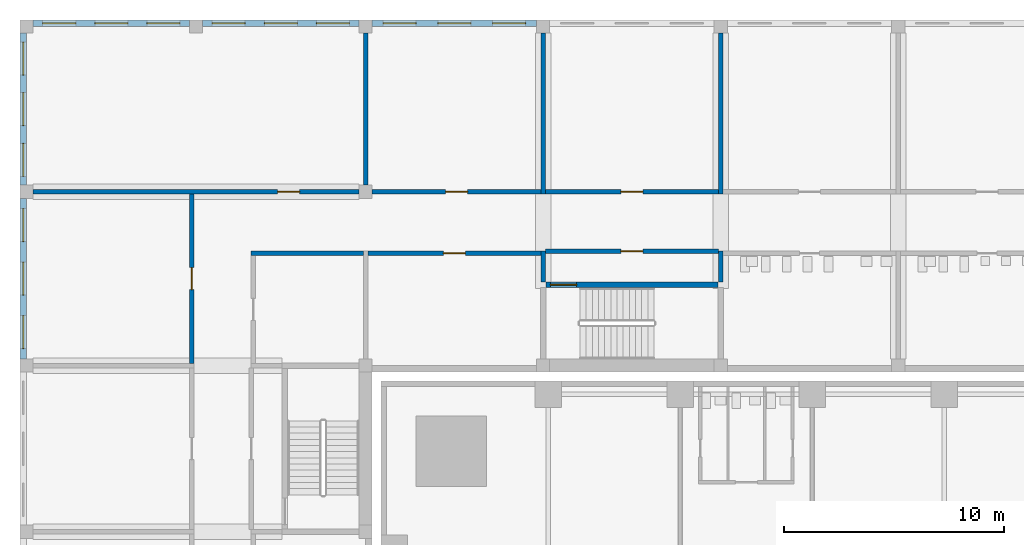
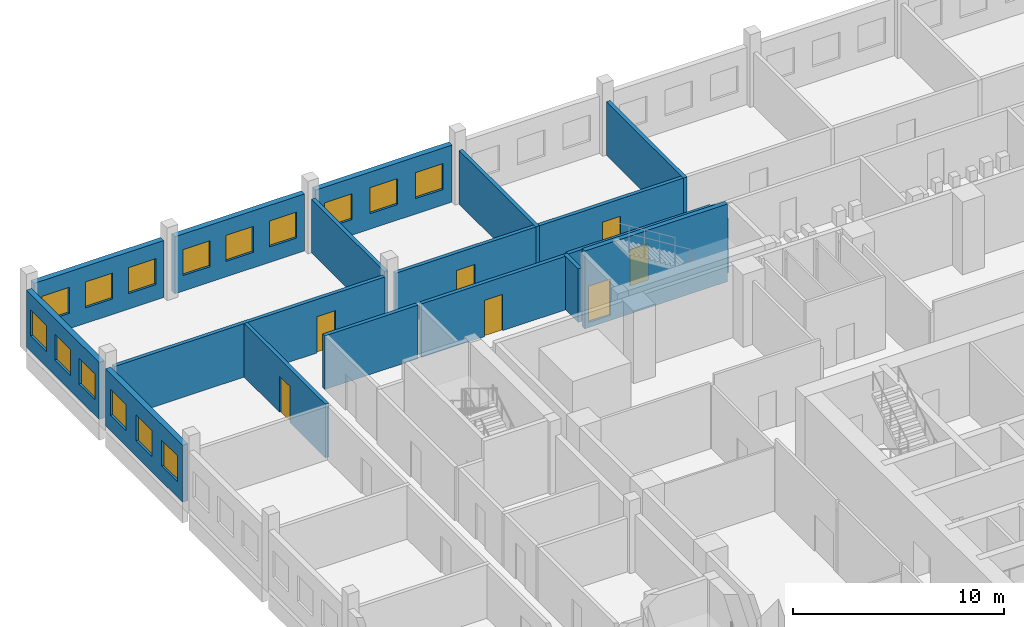
# One storey, part 25 of 34: 18 walls, 15 windows, 7 doors, 22 openings.
"""IFC4 building model written with IfcOpenShell, lengths in metres."""

import ifcopenshell
import ifcopenshell.guid

model = None  # the IFC model being written
_history = None  # IfcOwnerHistory: only IFC2X3 demands one
_inside = {}  # id of a spatial element -> (the spatial element, [elements in it])
_under = {}  # id of a project, library or spatial element -> (it, [spatial elements below it])
_declared = {}  # id of a project -> (the project, [libraries it declares])
_typed = {}  # id of a type object -> (the type object, [elements of that type])
_made_of = {}  # id of a material, layer set ... -> (it, [elements and type objects made of it])


def new_model(schema):
    """Start an empty IFC model of exactly this schema.

    Asked for "IFC4X3", IfcOpenShell would pick the latest addendum, in which some entities
    have other attributes; the version numbers below select the first issue.
    IFC2X3 requires an IfcOwnerHistory on every rooted entity: one is made here for all.
    """
    global model, _history
    if schema == "IFC4X3":
        model = ifcopenshell.file(schema_version=(4, 3, 0, 0))
    else:
        model = ifcopenshell.file(schema=schema)
    _inside.clear()
    _under.clear()
    _declared.clear()
    _typed.clear()
    _made_of.clear()
    _history = None
    if model.schema == "IFC2X3":
        org = make("IfcOrganization", Name="unknown")
        user = make(
            "IfcPersonAndOrganization",
            ThePerson=make("IfcPerson", FamilyName="unknown"),
            TheOrganization=org,
        )
        app = make(
            "IfcApplication",
            ApplicationDeveloper=org,
            Version="unknown",
            ApplicationFullName="unknown",
            ApplicationIdentifier="unknown",
        )
        _history = make(
            "IfcOwnerHistory",
            OwningUser=user,
            OwningApplication=app,
            ChangeAction="ADDED",
            CreationDate=0,
        )
    return model


def make(cls, **values):
    """One entity of the class cls with the attributes given. An attribute that is None is left unset."""
    return model.create_entity(
        cls, **{name: value for name, value in values.items() if value is not None}
    )


def rooted(cls, **values):
    """An entity with a GlobalId (a new one), such as an element, a storey or a relation."""
    return make(cls, GlobalId=ifcopenshell.guid.new(), OwnerHistory=_history, **values)


def si_unit(unit_type, name, prefix=None):
    """IfcSIUnit, for example si_unit("LENGTHUNIT", "METRE", prefix="MILLI")."""
    return make("IfcSIUnit", UnitType=unit_type, Prefix=prefix, Name=name)


def assignment(units):
    """IfcUnitAssignment: the units of a project."""
    return None if units is None else make("IfcUnitAssignment", Units=units)


def point(xyz):
    """IfcCartesianPoint."""
    return None if xyz is None else make("IfcCartesianPoint", Coordinates=xyz)


def direction(xyz):
    """IfcDirection."""
    return None if xyz is None else make("IfcDirection", DirectionRatios=xyz)


def frame(location, z_axis=None, x_axis=None):
    """IfcAxis2Placement3D, a coordinate frame: its origin and axes. An axis left out is left unset."""
    return make(
        "IfcAxis2Placement3D",
        Location=point(location),
        Axis=direction(z_axis),
        RefDirection=direction(x_axis),
    )


def frame_2d(location, x_axis=None):
    """IfcAxis2Placement2D, a coordinate frame in the plane: its origin and x axis."""
    return make(
        "IfcAxis2Placement2D", Location=point(location), RefDirection=direction(x_axis)
    )


def origin():
    """The frame at (0, 0, 0) with its axes left unset."""
    return frame((0.0, 0.0, 0.0))


def place(relative_to, where):
    """IfcLocalPlacement: puts the frame where relative to a parent placement (None: the world)."""
    return make(
        "IfcLocalPlacement", PlacementRelTo=relative_to, RelativePlacement=where
    )


def context(
    kind, dimensions, precision=None, world=None, true_north=None, identifier=None
):
    """IfcGeometricRepresentationContext, for example the 3D "Model" context."""
    return make(
        "IfcGeometricRepresentationContext",
        ContextIdentifier=identifier,
        ContextType=kind,
        CoordinateSpaceDimension=dimensions,
        Precision=precision,
        WorldCoordinateSystem=world,
        TrueNorth=true_north,
    )


def subcontext(parent, identifier, kind, view, scale=None):
    """IfcGeometricRepresentationSubContext, for example "Body" below "Model"."""
    return make(
        "IfcGeometricRepresentationSubContext",
        ContextIdentifier=identifier,
        ContextType=kind,
        ParentContext=parent,
        TargetScale=scale,
        TargetView=view,
    )


def project(units=None, contexts=None):
    """IfcProject with its units and contexts."""
    return rooted(
        "IfcProject",
        Name="project",
        RepresentationContexts=contexts,
        UnitsInContext=assignment(units),
    )


def spatial(cls, under=None, at=None, **own):
    """A site, building, storey or space (cls), placed at a placement, below another one or the project."""
    s = rooted(cls, ObjectPlacement=at, **own)
    if under is not None:
        _under.setdefault(under.id(), (under, []))[1].append(s)
    return s


def profile(cls, at=None, kind="AREA", **sizes):
    """A parametric profile (cls). Its sizes go by their IFC names, for example OverallWidth=200.0."""
    return make(cls, ProfileType=kind, Position=at, **sizes)


def rectangle(**sizes):
    """IfcRectangleProfileDef."""
    return profile("IfcRectangleProfileDef", **sizes)


def extrude(swept, where, along, depth):
    """IfcExtrudedAreaSolid: the profile swept, set in the frame where, extruded along a direction by depth."""
    return make(
        "IfcExtrudedAreaSolid",
        SweptArea=swept,
        Position=where,
        ExtrudedDirection=direction(along),
        Depth=depth,
    )


def shape(context_of_items, identifier, shape_type, items):
    """IfcShapeRepresentation: the items that make up one representation, for example the "Body"."""
    return make(
        "IfcShapeRepresentation",
        ContextOfItems=context_of_items,
        RepresentationIdentifier=identifier,
        RepresentationType=shape_type,
        Items=items,
    )


def material(Name=None, Category=None):
    """IfcMaterial."""
    return make("IfcMaterial", Name=Name, Category=Category)


def layer(
    of_material, thickness, ventilated=None, Name=None, Category=None, Priority=None
):
    """IfcMaterialLayer: one layer of a wall or slab, of a material (None: an air gap)."""
    return make(
        "IfcMaterialLayer",
        Material=of_material,
        LayerThickness=thickness,
        IsVentilated=ventilated,
        Name=Name,
        Category=Category,
        Priority=Priority,
    )


def layer_set(layers, Name=None):
    """IfcMaterialLayerSet."""
    return make("IfcMaterialLayerSet", MaterialLayers=layers, LayerSetName=Name)


def made_of(thing, what):
    """Note that an element or type object is made of a material, layer set ...; save() writes the relation."""
    if what is not None:
        _made_of.setdefault(what.id(), (what, []))[1].append(thing)
    return thing


def type_object(cls, material=None, **own):
    """A type object (cls), such as IfcWallType, which elements share."""
    return made_of(rooted(cls, **own), material)


def element(
    cls,
    number,
    at=None,
    inside=None,
    cuts=None,
    type_object=None,
    material=None,
    context=None,
    identifier="Body",
    shape_type=None,
    held_by="IfcProductDefinitionShape",
    body=None,
    shapes=None,
    **own,
):
    """One element of the class cls, such as IfcWall. Its Tag is "e" and its number.

    at: its placement. inside: the storey or other place that contains it. cuts: it is an
    opening in that element (IfcRelVoidsElement). A single representation is given by context,
    identifier, shape_type and body (its items); several are given by shapes. held_by: the class
    of the entity that holds the representations. save() writes the other relations.
    """
    e = rooted(cls, Tag="e%d" % number, ObjectPlacement=at, **own)
    if body is not None:
        shapes = [shape(context, identifier, shape_type, body)]
    if shapes is not None:
        e.Representation = make(held_by, Representations=shapes)
    if inside is not None:
        _inside.setdefault(inside.id(), (inside, []))[1].append(e)
    if cuts is not None:
        rooted(
            "IfcRelVoidsElement", RelatingBuildingElement=cuts, RelatedOpeningElement=e
        )
    if type_object is not None:
        _typed.setdefault(type_object.id(), (type_object, []))[1].append(e)
    return made_of(e, material)


def fill(opening, filler):
    """IfcRelFillsElement: the door or window that sits in an opening."""
    return rooted(
        "IfcRelFillsElement",
        RelatingOpeningElement=opening,
        RelatedBuildingElement=filler,
    )


def aggregate(whole, parts):
    """IfcRelAggregates: a whole, such as a stair, and the parts it consists of."""
    return rooted("IfcRelAggregates", RelatingObject=whole, RelatedObjects=parts)


def save(model, path):
    """Write the relations noted so far, then the file.

    IfcRelAggregates (storeys below a building ...), IfcRelContainedInSpatialStructure (elements
    in a storey), IfcRelDefinesByType, IfcRelAssociatesMaterial and IfcRelDeclares: one each for
    every whole, place, type object, material and project.
    """
    for whole, parts in _under.values():
        aggregate(whole, parts)
    for where, things in _inside.values():
        rooted(
            "IfcRelContainedInSpatialStructure",
            RelatedElements=things,
            RelatingStructure=where,
        )
    for kind, things in _typed.values():
        rooted("IfcRelDefinesByType", RelatedObjects=things, RelatingType=kind)
    for what, things in _made_of.values():
        rooted("IfcRelAssociatesMaterial", RelatedObjects=things, RelatingMaterial=what)
    for by, libraries in _declared.values():
        rooted("IfcRelDeclares", RelatingContext=by, RelatedDefinitions=libraries)
    model.write(path)


model = new_model("IFC4")

# Units and contexts
model_context = context("Model", 3, precision=1e-05, world=origin(), true_north=direction((0.0, 1.0)))
body_context = subcontext(model_context, "Body", "Model", "MODEL_VIEW")
ifc_project = project(units=[si_unit("LENGTHUNIT", "METRE"), si_unit("AREAUNIT", "SQUARE_METRE"), si_unit("VOLUMEUNIT", "CUBIC_METRE"), si_unit("PLANEANGLEUNIT", "RADIAN"), si_unit("MASSUNIT", "GRAM", prefix="KILO")], contexts=[model_context])

# Site, building, storey
site_placement = place(None, origin())
site = spatial("IfcSite", under=ifc_project, at=site_placement, CompositionType="ELEMENT")
building_placement = place(site_placement, origin())
building = spatial("IfcBuilding", under=site, at=building_placement, Name="Amberfall Residences", CompositionType="ELEMENT")
storey_placement = place(building_placement, frame((0.0, 0.0, 5.5)))
storey = spatial("IfcBuildingStorey", under=building, at=storey_placement, Name="L01", CompositionType="ELEMENT", Elevation=5.5)

# Wall, openings, windows
ifc_material_1 = material(Name="Aerated block wall")
ifc_layer_1 = layer(ifc_material_1, 0.300048828125)
ifc_layer_set_1 = layer_set([ifc_layer_1], Name="School external wall 300")
wall_type_1 = type_object("IfcWallType", Name="School external wall 300", PredefinedType="SOLIDWALL", material=ifc_layer_set_1)
wall_1_placement = place(storey_placement, frame((35.75, 69.0, 0.0), z_axis=(0.0, 0.0, 1.0), x_axis=(0.0, 1.0, 0.0)))
wall_1 = element("IfcWall", 1, at=wall_1_placement, inside=storey, type_object=wall_type_1, Name="School external wall L01 EW8", PredefinedType="SOLIDWALL", context=body_context, shape_type="SweptSolid", body=[
    extrude(rectangle(XDim=7.300048828125, YDim=0.300048828125, at=frame_2d((3.64990234375, 0.0))), origin(), (0.0, 0.0, 1.0), 3.300048828125),
])
opening_1_placement = place(wall_1_placement, frame((0.466796875, 0.0, 0.89990234375)))
opening_1 = element("IfcOpeningElement", 2, at=opening_1_placement, cuts=wall_1, Name="Opening SWN1", PredefinedType="OPENING", context=body_context, shape_type="SweptSolid", body=[
    extrude(rectangle(XDim=1.5, YDim=1.5, at=frame_2d((0.75, 0.75))), frame((0.0, 0.159912109375, 0.0), z_axis=(0.0, -1.0, 0.0), x_axis=(1.0, 0.0, 0.0)), (0.0, 0.0, 1.0), 0.320068359375),
])
opening_2_placement = place(wall_1_placement, frame((2.89990234375, 0.0, 0.89990234375)))
opening_2 = element("IfcOpeningElement", 3, at=opening_2_placement, cuts=wall_1, Name="Opening SWN1", PredefinedType="OPENING", context=body_context, shape_type="SweptSolid", body=[
    extrude(rectangle(XDim=1.5, YDim=1.5, at=frame_2d((0.75, 0.75))), frame((0.0, 0.159912109375, 0.0), z_axis=(0.0, -1.0, 0.0), x_axis=(1.0, 0.0, 0.0)), (0.0, 0.0, 1.0), 0.320068359375),
])
opening_3_placement = place(wall_1_placement, frame((5.333251953125, 0.0, 0.89990234375)))
opening_3 = element("IfcOpeningElement", 4, at=opening_3_placement, cuts=wall_1, Name="Opening SWN1", PredefinedType="OPENING", context=body_context, shape_type="SweptSolid", body=[
    extrude(rectangle(XDim=1.5, YDim=1.5, at=frame_2d((0.75, 0.75))), frame((0.0, 0.159912109375, 0.0), z_axis=(0.0, -1.0, 0.0), x_axis=(1.0, 0.0, 0.0)), (0.0, 0.0, 1.0), 0.320068359375),
])
ifc_material_2 = material(Name="Aluminium window", Category="aluminium")
window_type = type_object("IfcWindowType", Name="School window 1500 x 1500", PartitioningType="DOUBLE_PANEL_HORIZONTAL", PredefinedType="WINDOW", material=ifc_material_2)
window_1_placement = place(opening_1_placement, origin())
window_1 = element("IfcWindow", 5, at=window_1_placement, inside=storey, type_object=window_type, Name="School window L01 EW8-1", OverallHeight=1.5, OverallWidth=1.5, PartitioningType="DOUBLE_PANEL_HORIZONTAL", PredefinedType="WINDOW", context=body_context, shape_type="SweptSolid", body=[
    extrude(rectangle(XDim=1.5, YDim=1.5, at=frame_2d((0.75, 0.75))), frame((0.0, 0.030029296875, 0.0), z_axis=(0.0, -1.0, 0.0), x_axis=(1.0, 0.0, 0.0)), (0.0, 0.0, 1.0), 0.06005859375),
])
fill(opening_1, window_1)
window_2_placement = place(opening_2_placement, origin())
window_2 = element("IfcWindow", 6, at=window_2_placement, inside=storey, type_object=window_type, Name="School window L01 EW8-2", OverallHeight=1.5, OverallWidth=1.5, PartitioningType="DOUBLE_PANEL_HORIZONTAL", PredefinedType="WINDOW", context=body_context, shape_type="SweptSolid", body=[
    extrude(rectangle(XDim=1.5, YDim=1.5, at=frame_2d((0.75, 0.75))), frame((0.0, 0.030029296875, 0.0), z_axis=(0.0, -1.0, 0.0), x_axis=(1.0, 0.0, 0.0)), (0.0, 0.0, 1.0), 0.06005859375),
])
fill(opening_2, window_2)
window_3_placement = place(opening_3_placement, origin())
window_3 = element("IfcWindow", 7, at=window_3_placement, inside=storey, type_object=window_type, Name="School window L01 EW8-3", OverallHeight=1.5, OverallWidth=1.5, PartitioningType="DOUBLE_PANEL_HORIZONTAL", PredefinedType="WINDOW", context=body_context, shape_type="SweptSolid", body=[
    extrude(rectangle(XDim=1.5, YDim=1.5, at=frame_2d((0.75, 0.75))), frame((0.0, 0.030029296875, 0.0), z_axis=(0.0, -1.0, 0.0), x_axis=(1.0, 0.0, 0.0)), (0.0, 0.0, 1.0), 0.06005859375),
])
fill(opening_3, window_3)

wall_2_placement = place(storey_placement, frame((35.75, 76.89990234375, 0.0), z_axis=(0.0, 0.0, 1.0), x_axis=(0.0, 1.0, 0.0)))
wall_2 = element("IfcWall", 8, at=wall_2_placement, inside=storey, type_object=wall_type_1, Name="School external wall L01 EW9", PredefinedType="SOLIDWALL", context=body_context, shape_type="SweptSolid", body=[
    extrude(rectangle(XDim=6.900146484375, YDim=0.300048828125, at=frame_2d((3.4501953125, 0.0))), origin(), (0.0, 0.0, 1.0), 3.300048828125),
])
opening_4_placement = place(wall_2_placement, frame((0.39990234375, 0.0, 0.89990234375)))
opening_4 = element("IfcOpeningElement", 9, at=opening_4_placement, cuts=wall_2, Name="Opening SWN1", PredefinedType="OPENING", context=body_context, shape_type="SweptSolid", body=[
    extrude(rectangle(XDim=1.5, YDim=1.5, at=frame_2d((0.75, 0.75))), frame((0.0, 0.159912109375, 0.0), z_axis=(0.0, -1.0, 0.0), x_axis=(1.0, 0.0, 0.0)), (0.0, 0.0, 1.0), 0.320068359375),
])
opening_5_placement = place(wall_2_placement, frame((2.699951171875, 0.0, 0.89990234375)))
opening_5 = element("IfcOpeningElement", 10, at=opening_5_placement, cuts=wall_2, Name="Opening SWN1", PredefinedType="OPENING", context=body_context, shape_type="SweptSolid", body=[
    extrude(rectangle(XDim=1.5, YDim=1.5, at=frame_2d((0.75, 0.75))), frame((0.0, 0.159912109375, 0.0), z_axis=(0.0, -1.0, 0.0), x_axis=(1.0, 0.0, 0.0)), (0.0, 0.0, 1.0), 0.320068359375),
])
opening_6_placement = place(wall_2_placement, frame((5.0, 0.0, 0.89990234375)))
opening_6 = element("IfcOpeningElement", 11, at=opening_6_placement, cuts=wall_2, Name="Opening SWN1", PredefinedType="OPENING", context=body_context, shape_type="SweptSolid", body=[
    extrude(rectangle(XDim=1.5, YDim=1.5, at=frame_2d((0.75, 0.75))), frame((0.0, 0.159912109375, 0.0), z_axis=(0.0, -1.0, 0.0), x_axis=(1.0, 0.0, 0.0)), (0.0, 0.0, 1.0), 0.320068359375),
])
window_4_placement = place(opening_4_placement, origin())
window_4 = element("IfcWindow", 12, at=window_4_placement, inside=storey, type_object=window_type, Name="School window L01 EW9-1", OverallHeight=1.5, OverallWidth=1.5, PartitioningType="DOUBLE_PANEL_HORIZONTAL", PredefinedType="WINDOW", context=body_context, shape_type="SweptSolid", body=[
    extrude(rectangle(XDim=1.5, YDim=1.5, at=frame_2d((0.75, 0.75))), frame((0.0, 0.030029296875, 0.0), z_axis=(0.0, -1.0, 0.0), x_axis=(1.0, 0.0, 0.0)), (0.0, 0.0, 1.0), 0.06005859375),
])
fill(opening_4, window_4)
window_5_placement = place(opening_5_placement, origin())
window_5 = element("IfcWindow", 13, at=window_5_placement, inside=storey, type_object=window_type, Name="School window L01 EW9-2", OverallHeight=1.5, OverallWidth=1.5, PartitioningType="DOUBLE_PANEL_HORIZONTAL", PredefinedType="WINDOW", context=body_context, shape_type="SweptSolid", body=[
    extrude(rectangle(XDim=1.5, YDim=1.5, at=frame_2d((0.75, 0.75))), frame((0.0, 0.030029296875, 0.0), z_axis=(0.0, -1.0, 0.0), x_axis=(1.0, 0.0, 0.0)), (0.0, 0.0, 1.0), 0.06005859375),
])
fill(opening_5, window_5)
window_6_placement = place(opening_6_placement, origin())
window_6 = element("IfcWindow", 14, at=window_6_placement, inside=storey, type_object=window_type, Name="School window L01 EW9-3", OverallHeight=1.5, OverallWidth=1.5, PartitioningType="DOUBLE_PANEL_HORIZONTAL", PredefinedType="WINDOW", context=body_context, shape_type="SweptSolid", body=[
    extrude(rectangle(XDim=1.5, YDim=1.5, at=frame_2d((0.75, 0.75))), frame((0.0, 0.030029296875, 0.0), z_axis=(0.0, -1.0, 0.0), x_axis=(1.0, 0.0, 0.0)), (0.0, 0.0, 1.0), 0.06005859375),
])
fill(opening_6, window_6)

wall_3_placement = place(storey_placement, frame((36.199951171875, 84.25, 0.0), z_axis=(0.0, 0.0, 1.0), x_axis=(1.0, 0.0, 0.0)))
wall_3 = element("IfcWall", 15, at=wall_3_placement, inside=storey, type_object=wall_type_1, Name="School external wall L01 EN0", PredefinedType="SOLIDWALL", context=body_context, shape_type="SweptSolid", body=[
    extrude(rectangle(XDim=7.10009765625, YDim=0.300048828125, at=frame_2d((3.550048828125, 0.0))), origin(), (0.0, 0.0, 1.0), 3.300048828125),
])
opening_7_placement = place(wall_3_placement, frame((0.433349609375, 0.0, 0.89990234375)))
opening_7 = element("IfcOpeningElement", 16, at=opening_7_placement, cuts=wall_3, Name="Opening SWN1", PredefinedType="OPENING", context=body_context, shape_type="SweptSolid", body=[
    extrude(rectangle(XDim=1.5, YDim=1.5, at=frame_2d((0.75, 0.75))), frame((0.0, 0.159912109375, 0.0), z_axis=(0.0, -1.0, 0.0), x_axis=(1.0, 0.0, 0.0)), (0.0, 0.0, 1.0), 0.320068359375),
])
opening_8_placement = place(wall_3_placement, frame((2.800048828125, 0.0, 0.89990234375)))
opening_8 = element("IfcOpeningElement", 17, at=opening_8_placement, cuts=wall_3, Name="Opening SWN1", PredefinedType="OPENING", context=body_context, shape_type="SweptSolid", body=[
    extrude(rectangle(XDim=1.5, YDim=1.5, at=frame_2d((0.75, 0.75))), frame((0.0, 0.159912109375, 0.0), z_axis=(0.0, -1.0, 0.0), x_axis=(1.0, 0.0, 0.0)), (0.0, 0.0, 1.0), 0.320068359375),
])
opening_9_placement = place(wall_3_placement, frame((5.166748046875, 0.0, 0.89990234375)))
opening_9 = element("IfcOpeningElement", 18, at=opening_9_placement, cuts=wall_3, Name="Opening SWN1", PredefinedType="OPENING", context=body_context, shape_type="SweptSolid", body=[
    extrude(rectangle(XDim=1.5, YDim=1.5, at=frame_2d((0.75, 0.75))), frame((0.0, 0.159912109375, 0.0), z_axis=(0.0, -1.0, 0.0), x_axis=(1.0, 0.0, 0.0)), (0.0, 0.0, 1.0), 0.320068359375),
])
window_7_placement = place(opening_7_placement, origin())
window_7 = element("IfcWindow", 19, at=window_7_placement, inside=storey, type_object=window_type, Name="School window L01 EN0-1", OverallHeight=1.5, OverallWidth=1.5, PartitioningType="DOUBLE_PANEL_HORIZONTAL", PredefinedType="WINDOW", context=body_context, shape_type="SweptSolid", body=[
    extrude(rectangle(XDim=1.5, YDim=1.5, at=frame_2d((0.75, 0.75))), frame((0.0, 0.030029296875, 0.0), z_axis=(0.0, -1.0, 0.0), x_axis=(1.0, 0.0, 0.0)), (0.0, 0.0, 1.0), 0.06005859375),
])
fill(opening_7, window_7)
window_8_placement = place(opening_8_placement, origin())
window_8 = element("IfcWindow", 20, at=window_8_placement, inside=storey, type_object=window_type, Name="School window L01 EN0-2", OverallHeight=1.5, OverallWidth=1.5, PartitioningType="DOUBLE_PANEL_HORIZONTAL", PredefinedType="WINDOW", context=body_context, shape_type="SweptSolid", body=[
    extrude(rectangle(XDim=1.5, YDim=1.5, at=frame_2d((0.75, 0.75))), frame((0.0, 0.030029296875, 0.0), z_axis=(0.0, -1.0, 0.0), x_axis=(1.0, 0.0, 0.0)), (0.0, 0.0, 1.0), 0.06005859375),
])
fill(opening_8, window_8)
window_9_placement = place(opening_9_placement, origin())
window_9 = element("IfcWindow", 21, at=window_9_placement, inside=storey, type_object=window_type, Name="School window L01 EN0-3", OverallHeight=1.5, OverallWidth=1.5, PartitioningType="DOUBLE_PANEL_HORIZONTAL", PredefinedType="WINDOW", context=body_context, shape_type="SweptSolid", body=[
    extrude(rectangle(XDim=1.5, YDim=1.5, at=frame_2d((0.75, 0.75))), frame((0.0, 0.030029296875, 0.0), z_axis=(0.0, -1.0, 0.0), x_axis=(1.0, 0.0, 0.0)), (0.0, 0.0, 1.0), 0.06005859375),
])
fill(opening_9, window_9)

wall_4_placement = place(storey_placement, frame((43.89990234375, 84.25, 0.0), z_axis=(0.0, 0.0, 1.0), x_axis=(1.0, 0.0, 0.0)))
wall_4 = element("IfcWall", 22, at=wall_4_placement, inside=storey, type_object=wall_type_1, Name="School external wall L01 EN1", PredefinedType="SOLIDWALL", context=body_context, shape_type="SweptSolid", body=[
    extrude(rectangle(XDim=7.10009765625, YDim=0.300048828125, at=frame_2d((3.550048828125, 0.0))), origin(), (0.0, 0.0, 1.0), 3.300048828125),
])
opening_10_placement = place(wall_4_placement, frame((0.433349609375, 0.0, 0.89990234375)))
opening_10 = element("IfcOpeningElement", 23, at=opening_10_placement, cuts=wall_4, Name="Opening SWN1", PredefinedType="OPENING", context=body_context, shape_type="SweptSolid", body=[
    extrude(rectangle(XDim=1.5, YDim=1.5, at=frame_2d((0.75, 0.75))), frame((0.0, 0.159912109375, 0.0), z_axis=(0.0, -1.0, 0.0), x_axis=(1.0, 0.0, 0.0)), (0.0, 0.0, 1.0), 0.320068359375),
])
opening_11_placement = place(wall_4_placement, frame((2.800048828125, 0.0, 0.89990234375)))
opening_11 = element("IfcOpeningElement", 24, at=opening_11_placement, cuts=wall_4, Name="Opening SWN1", PredefinedType="OPENING", context=body_context, shape_type="SweptSolid", body=[
    extrude(rectangle(XDim=1.5, YDim=1.5, at=frame_2d((0.75, 0.75))), frame((0.0, 0.159912109375, 0.0), z_axis=(0.0, -1.0, 0.0), x_axis=(1.0, 0.0, 0.0)), (0.0, 0.0, 1.0), 0.320068359375),
])
opening_12_placement = place(wall_4_placement, frame((5.166748046875, 0.0, 0.89990234375)))
opening_12 = element("IfcOpeningElement", 25, at=opening_12_placement, cuts=wall_4, Name="Opening SWN1", PredefinedType="OPENING", context=body_context, shape_type="SweptSolid", body=[
    extrude(rectangle(XDim=1.5, YDim=1.5, at=frame_2d((0.75, 0.75))), frame((0.0, 0.159912109375, 0.0), z_axis=(0.0, -1.0, 0.0), x_axis=(1.0, 0.0, 0.0)), (0.0, 0.0, 1.0), 0.320068359375),
])
window_10_placement = place(opening_10_placement, origin())
window_10 = element("IfcWindow", 26, at=window_10_placement, inside=storey, type_object=window_type, Name="School window L01 EN1-1", OverallHeight=1.5, OverallWidth=1.5, PartitioningType="DOUBLE_PANEL_HORIZONTAL", PredefinedType="WINDOW", context=body_context, shape_type="SweptSolid", body=[
    extrude(rectangle(XDim=1.5, YDim=1.5, at=frame_2d((0.75, 0.75))), frame((0.0, 0.030029296875, 0.0), z_axis=(0.0, -1.0, 0.0), x_axis=(1.0, 0.0, 0.0)), (0.0, 0.0, 1.0), 0.06005859375),
])
fill(opening_10, window_10)
window_11_placement = place(opening_11_placement, origin())
window_11 = element("IfcWindow", 27, at=window_11_placement, inside=storey, type_object=window_type, Name="School window L01 EN1-2", OverallHeight=1.5, OverallWidth=1.5, PartitioningType="DOUBLE_PANEL_HORIZONTAL", PredefinedType="WINDOW", context=body_context, shape_type="SweptSolid", body=[
    extrude(rectangle(XDim=1.5, YDim=1.5, at=frame_2d((0.75, 0.75))), frame((0.0, 0.030029296875, 0.0), z_axis=(0.0, -1.0, 0.0), x_axis=(1.0, 0.0, 0.0)), (0.0, 0.0, 1.0), 0.06005859375),
])
fill(opening_11, window_11)
window_12_placement = place(opening_12_placement, origin())
window_12 = element("IfcWindow", 28, at=window_12_placement, inside=storey, type_object=window_type, Name="School window L01 EN1-3", OverallHeight=1.5, OverallWidth=1.5, PartitioningType="DOUBLE_PANEL_HORIZONTAL", PredefinedType="WINDOW", context=body_context, shape_type="SweptSolid", body=[
    extrude(rectangle(XDim=1.5, YDim=1.5, at=frame_2d((0.75, 0.75))), frame((0.0, 0.030029296875, 0.0), z_axis=(0.0, -1.0, 0.0), x_axis=(1.0, 0.0, 0.0)), (0.0, 0.0, 1.0), 0.06005859375),
])
fill(opening_12, window_12)

wall_5_placement = place(storey_placement, frame((51.60009765625, 84.25, 0.0), z_axis=(0.0, 0.0, 1.0), x_axis=(1.0, 0.0, 0.0)))
wall_5 = element("IfcWall", 29, at=wall_5_placement, inside=storey, type_object=wall_type_1, Name="School external wall L01 EN2", PredefinedType="SOLIDWALL", context=body_context, shape_type="SweptSolid", body=[
    extrude(rectangle(XDim=7.466796875, YDim=0.300048828125, at=frame_2d((3.7333984375, 0.0))), origin(), (0.0, 0.0, 1.0), 3.300048828125),
])
opening_13_placement = place(wall_5_placement, frame((0.494384765625, 0.0, 0.89990234375)))
opening_13 = element("IfcOpeningElement", 30, at=opening_13_placement, cuts=wall_5, Name="Opening SWN1", PredefinedType="OPENING", context=body_context, shape_type="SweptSolid", body=[
    extrude(rectangle(XDim=1.5, YDim=1.5, at=frame_2d((0.75, 0.75))), frame((0.0, 0.159912109375, 0.0), z_axis=(0.0, -1.0, 0.0), x_axis=(1.0, 0.0, 0.0)), (0.0, 0.0, 1.0), 0.320068359375),
])
opening_14_placement = place(wall_5_placement, frame((2.9833984375, 0.0, 0.89990234375)))
opening_14 = element("IfcOpeningElement", 31, at=opening_14_placement, cuts=wall_5, Name="Opening SWN1", PredefinedType="OPENING", context=body_context, shape_type="SweptSolid", body=[
    extrude(rectangle(XDim=1.5, YDim=1.5, at=frame_2d((0.75, 0.75))), frame((0.0, 0.159912109375, 0.0), z_axis=(0.0, -1.0, 0.0), x_axis=(1.0, 0.0, 0.0)), (0.0, 0.0, 1.0), 0.320068359375),
])
opening_15_placement = place(wall_5_placement, frame((5.472412109375, 0.0, 0.89990234375)))
opening_15 = element("IfcOpeningElement", 32, at=opening_15_placement, cuts=wall_5, Name="Opening SWN1", PredefinedType="OPENING", context=body_context, shape_type="SweptSolid", body=[
    extrude(rectangle(XDim=1.5, YDim=1.5, at=frame_2d((0.75, 0.75))), frame((0.0, 0.159912109375, 0.0), z_axis=(0.0, -1.0, 0.0), x_axis=(1.0, 0.0, 0.0)), (0.0, 0.0, 1.0), 0.320068359375),
])
window_13_placement = place(opening_13_placement, origin())
window_13 = element("IfcWindow", 33, at=window_13_placement, inside=storey, type_object=window_type, Name="School window L01 EN2-1", OverallHeight=1.5, OverallWidth=1.5, PartitioningType="DOUBLE_PANEL_HORIZONTAL", PredefinedType="WINDOW", context=body_context, shape_type="SweptSolid", body=[
    extrude(rectangle(XDim=1.5, YDim=1.5, at=frame_2d((0.75, 0.75))), frame((0.0, 0.030029296875, 0.0), z_axis=(0.0, -1.0, 0.0), x_axis=(1.0, 0.0, 0.0)), (0.0, 0.0, 1.0), 0.06005859375),
])
fill(opening_13, window_13)
window_14_placement = place(opening_14_placement, origin())
window_14 = element("IfcWindow", 34, at=window_14_placement, inside=storey, type_object=window_type, Name="School window L01 EN2-2", OverallHeight=1.5, OverallWidth=1.5, PartitioningType="DOUBLE_PANEL_HORIZONTAL", PredefinedType="WINDOW", context=body_context, shape_type="SweptSolid", body=[
    extrude(rectangle(XDim=1.5, YDim=1.5, at=frame_2d((0.75, 0.75))), frame((0.0, 0.030029296875, 0.0), z_axis=(0.0, -1.0, 0.0), x_axis=(1.0, 0.0, 0.0)), (0.0, 0.0, 1.0), 0.06005859375),
])
fill(opening_14, window_14)
window_15_placement = place(opening_15_placement, origin())
window_15 = element("IfcWindow", 35, at=window_15_placement, inside=storey, type_object=window_type, Name="School window L01 EN2-3", OverallHeight=1.5, OverallWidth=1.5, PartitioningType="DOUBLE_PANEL_HORIZONTAL", PredefinedType="WINDOW", context=body_context, shape_type="SweptSolid", body=[
    extrude(rectangle(XDim=1.5, YDim=1.5, at=frame_2d((0.75, 0.75))), frame((0.0, 0.030029296875, 0.0), z_axis=(0.0, -1.0, 0.0), x_axis=(1.0, 0.0, 0.0)), (0.0, 0.0, 1.0), 0.06005859375),
])
fill(opening_15, window_15)

# Wall, opening, door
ifc_layer_2 = layer(ifc_material_1, 0.199951171875)
ifc_layer_set_2 = layer_set([ifc_layer_2], Name="School partition 200")
wall_type_2 = type_object("IfcWallType", Name="School partition 200", PredefinedType="PARTITIONING", material=ifc_layer_set_2)
wall_6_placement = place(storey_placement, frame((43.39990234375, 68.800048828125, 0.0), z_axis=(0.0, 0.0, 1.0), x_axis=(0.0, 1.0, 0.0)))
wall_6 = element("IfcWall", 36, at=wall_6_placement, inside=storey, type_object=wall_type_2, Name="School partition L01 CWW8", PredefinedType="PARTITIONING", context=body_context, shape_type="SweptSolid", body=[
    extrude(rectangle(XDim=7.699951171875, YDim=0.199951171875, at=frame_2d((3.85009765625, 0.0))), origin(), (0.0, 0.0, 1.0), 3.10009765625),
])
opening_16_placement = place(wall_6_placement, frame((3.35009765625, 0.0, 0.0)))
opening_16 = element("IfcOpeningElement", 37, at=opening_16_placement, cuts=wall_6, Name="Opening SD5", PredefinedType="OPENING", context=body_context, shape_type="SweptSolid", body=[
    extrude(rectangle(XDim=1.0, YDim=2.10009765625, at=frame_2d((0.5, 1.050048828125))), frame((0.0, 0.10986328125, 0.0), z_axis=(0.0, -1.0, 0.0), x_axis=(1.0, 0.0, 0.0)), (0.0, 0.0, 1.0), 0.219970703125),
])
ifc_material_3 = material(Name="Timber door", Category="wood")
door_type_1 = type_object("IfcDoorType", Name="School classroom door 1000 x 2100", OperationType="SINGLE_SWING_LEFT", PredefinedType="DOOR", material=ifc_material_3)
door_1_placement = place(opening_16_placement, origin())
door_1 = element("IfcDoor", 38, at=door_1_placement, inside=storey, type_object=door_type_1, Name="School door L01 CWW8-1", OperationType="SINGLE_SWING_LEFT", OverallHeight=2.10009765625, OverallWidth=1.0, PredefinedType="DOOR", context=body_context, shape_type="SweptSolid", body=[
    extrude(rectangle(XDim=1.0, YDim=2.10009765625, at=frame_2d((0.5, 1.050048828125))), frame((0.0, 0.02490234375, 0.0), z_axis=(0.0, -1.0, 0.0), x_axis=(1.0, 0.0, 0.0)), (0.0, 0.0, 1.0), 0.050048828125),
])
fill(opening_16, door_1)

wall_7_placement = place(storey_placement, frame((36.199951171875, 76.60009765625, 0.0), z_axis=(0.0, 0.0, 1.0), x_axis=(1.0, 0.0, 0.0)))
wall_7 = element("IfcWall", 39, at=wall_7_placement, inside=storey, type_object=wall_type_2, Name="School partition L01 LIBS", PredefinedType="PARTITIONING", context=body_context, shape_type="SweptSolid", body=[
    extrude(rectangle(XDim=14.800048828125, YDim=0.199951171875, at=frame_2d((7.39990234375, 0.0))), origin(), (0.0, 0.0, 1.0), 3.10009765625),
])
opening_17_placement = place(wall_7_placement, frame((11.10009765625, 0.0, 0.0)))
opening_17 = element("IfcOpeningElement", 40, at=opening_17_placement, cuts=wall_7, Name="Opening SD5", PredefinedType="OPENING", context=body_context, shape_type="SweptSolid", body=[
    extrude(rectangle(XDim=1.0, YDim=2.10009765625, at=frame_2d((0.5, 1.050048828125))), frame((0.0, 0.10986328125, 0.0), z_axis=(0.0, -1.0, 0.0), x_axis=(1.0, 0.0, 0.0)), (0.0, 0.0, 1.0), 0.219970703125),
])
door_2_placement = place(opening_17_placement, origin())
door_2 = element("IfcDoor", 41, at=door_2_placement, inside=storey, type_object=door_type_1, Name="School door L01 LIBS-1", OperationType="SINGLE_SWING_LEFT", OverallHeight=2.10009765625, OverallWidth=1.0, PredefinedType="DOOR", context=body_context, shape_type="SweptSolid", body=[
    extrude(rectangle(XDim=1.0, YDim=2.10009765625, at=frame_2d((0.5, 1.050048828125))), frame((0.0, 0.02490234375, 0.0), z_axis=(0.0, -1.0, 0.0), x_axis=(1.0, 0.0, 0.0)), (0.0, 0.0, 1.0), 0.050048828125),
])
fill(opening_17, door_2)

# Wall
wall_8_placement = place(storey_placement, frame((51.300048828125, 76.89990234375, 0.0), z_axis=(0.0, 0.0, 1.0), x_axis=(0.0, 1.0, 0.0)))
element("IfcWall", 42, at=wall_8_placement, inside=storey, type_object=wall_type_2, Name="School partition L01 LIBE", PredefinedType="PARTITIONING", context=body_context, shape_type="SweptSolid", body=[
    extrude(rectangle(XDim=6.900146484375, YDim=0.199951171875, at=frame_2d((3.4501953125, 0.0))), origin(), (0.0, 0.0, 1.0), 3.10009765625),
])

# Wall, opening, door
wall_9_placement = place(storey_placement, frame((51.60009765625, 76.60009765625, 0.0), z_axis=(0.0, 0.0, 1.0), x_axis=(1.0, 0.0, 0.0)))
wall_9 = element("IfcWall", 43, at=wall_9_placement, inside=storey, type_object=wall_type_2, Name="School partition L01 CWN052", PredefinedType="PARTITIONING", context=body_context, shape_type="SweptSolid", body=[
    extrude(rectangle(XDim=7.6669921875, YDim=0.199951171875, at=frame_2d((3.83349609375, 0.0))), origin(), (0.0, 0.0, 1.0), 3.10009765625),
])
opening_18_placement = place(wall_9_placement, frame((3.33349609375, 0.0, 0.0)))
opening_18 = element("IfcOpeningElement", 44, at=opening_18_placement, cuts=wall_9, Name="Opening SD5", PredefinedType="OPENING", context=body_context, shape_type="SweptSolid", body=[
    extrude(rectangle(XDim=1.0, YDim=2.10009765625, at=frame_2d((0.5, 1.050048828125))), frame((0.0, 0.10986328125, 0.0), z_axis=(0.0, -1.0, 0.0), x_axis=(1.0, 0.0, 0.0)), (0.0, 0.0, 1.0), 0.219970703125),
])
door_3_placement = place(opening_18_placement, origin())
door_3 = element("IfcDoor", 45, at=door_3_placement, inside=storey, type_object=door_type_1, Name="School door L01 CWN052-1", OperationType="SINGLE_SWING_LEFT", OverallHeight=2.10009765625, OverallWidth=1.0, PredefinedType="DOOR", context=body_context, shape_type="SweptSolid", body=[
    extrude(rectangle(XDim=1.0, YDim=2.10009765625, at=frame_2d((0.5, 1.050048828125))), frame((0.0, 0.02490234375, 0.0), z_axis=(0.0, -1.0, 0.0), x_axis=(1.0, 0.0, 0.0)), (0.0, 0.0, 1.0), 0.050048828125),
])
fill(opening_18, door_3)

wall_10_placement = place(storey_placement, frame((59.467041015625, 76.60009765625, 0.0), z_axis=(0.0, 0.0, 1.0), x_axis=(1.0, 0.0, 0.0)))
wall_10 = element("IfcWall", 46, at=wall_10_placement, inside=storey, type_object=wall_type_2, Name="School partition L01 CWN159", PredefinedType="PARTITIONING", context=body_context, shape_type="SweptSolid", body=[
    extrude(rectangle(XDim=7.865966796875, YDim=0.199951171875, at=frame_2d((3.93310546875, 0.0))), origin(), (0.0, 0.0, 1.0), 3.10009765625),
])
opening_19_placement = place(wall_10_placement, frame((3.43310546875, 0.0, 0.0)))
opening_19 = element("IfcOpeningElement", 47, at=opening_19_placement, cuts=wall_10, Name="Opening SD5", PredefinedType="OPENING", context=body_context, shape_type="SweptSolid", body=[
    extrude(rectangle(XDim=1.0, YDim=2.10009765625, at=frame_2d((0.5, 1.050048828125))), frame((0.0, 0.10986328125, 0.0), z_axis=(0.0, -1.0, 0.0), x_axis=(1.0, 0.0, 0.0)), (0.0, 0.0, 1.0), 0.219970703125),
])
door_4_placement = place(opening_19_placement, origin())
door_4 = element("IfcDoor", 48, at=door_4_placement, inside=storey, type_object=door_type_1, Name="School door L01 CWN159-1", OperationType="SINGLE_SWING_LEFT", OverallHeight=2.10009765625, OverallWidth=1.0, PredefinedType="DOOR", context=body_context, shape_type="SweptSolid", body=[
    extrude(rectangle(XDim=1.0, YDim=2.10009765625, at=frame_2d((0.5, 1.050048828125))), frame((0.0, 0.02490234375, 0.0), z_axis=(0.0, -1.0, 0.0), x_axis=(1.0, 0.0, 0.0)), (0.0, 0.0, 1.0), 0.050048828125),
])
fill(opening_19, door_4)

# Walls
for number, where, z_axis, x_axis, name in (
    (49, (59.366943359375, 76.5, 0.0), (0.0, 0.0, 1.0), (0.0, 1.0, 0.0), "School partition L01 PN5937"),
    (50, (67.43310546875, 76.5, 0.0), (0.0, 0.0, 1.0), (0.0, 1.0, 0.0), "School partition L01 PN6743"),
):
    element("IfcWall", number, at=place(storey_placement, frame(where, z_axis=z_axis, x_axis=x_axis)), inside=storey, type_object=wall_type_2, Name=name, PredefinedType="PARTITIONING", context=body_context, shape_type="SweptSolid", body=[
        extrude(rectangle(XDim=7.300048828125, YDim=0.199951171875, at=frame_2d((3.64990234375, 0.0))), origin(), (0.0, 0.0, 1.0), 3.10009765625),
    ])

# Wall, opening, door
wall_11_placement = place(storey_placement, frame((51.39990234375, 73.800048828125, 0.0), z_axis=(0.0, 0.0, 1.0), x_axis=(1.0, 0.0, 0.0)))
wall_11 = element("IfcWall", 51, at=wall_11_placement, inside=storey, type_object=wall_type_2, Name="School partition L01 CWS51", PredefinedType="PARTITIONING", context=body_context, shape_type="SweptSolid", body=[
    extrude(rectangle(XDim=7.8671875, YDim=0.199951171875, at=frame_2d((3.93359375, 0.0))), origin(), (0.0, 0.0, 1.0), 3.10009765625),
])
opening_20_placement = place(wall_11_placement, frame((3.43359375, 0.0, 0.0)))
opening_20 = element("IfcOpeningElement", 52, at=opening_20_placement, cuts=wall_11, Name="Opening SD5", PredefinedType="OPENING", context=body_context, shape_type="SweptSolid", body=[
    extrude(rectangle(XDim=1.0, YDim=2.10009765625, at=frame_2d((0.5, 1.050048828125))), frame((0.0, 0.10986328125, 0.0), z_axis=(0.0, -1.0, 0.0), x_axis=(1.0, 0.0, 0.0)), (0.0, 0.0, 1.0), 0.219970703125),
])
door_5_placement = place(opening_20_placement, origin())
door_5 = element("IfcDoor", 53, at=door_5_placement, inside=storey, type_object=door_type_1, Name="School door L01 CWS51-1", OperationType="SINGLE_SWING_LEFT", OverallHeight=2.10009765625, OverallWidth=1.0, PredefinedType="DOOR", context=body_context, shape_type="SweptSolid", body=[
    extrude(rectangle(XDim=1.0, YDim=2.10009765625, at=frame_2d((0.5, 1.050048828125))), frame((0.0, 0.02490234375, 0.0), z_axis=(0.0, -1.0, 0.0), x_axis=(1.0, 0.0, 0.0)), (0.0, 0.0, 1.0), 0.050048828125),
])
fill(opening_20, door_5)

# Walls
for number, where, z_axis, x_axis, name in (
    (54, (59.366943359375, 72.5, 0.0), (0.0, 0.0, 1.0), (0.0, 1.0, 0.0), "School partition L01 PSA1"),
    (55, (67.43310546875, 72.5, 0.0), (0.0, 0.0, 1.0), (0.0, 1.0, 0.0), "School partition L01 PSA2"),
):
    element("IfcWall", number, at=place(storey_placement, frame(where, z_axis=z_axis, x_axis=x_axis)), inside=storey, type_object=wall_type_2, Name=name, PredefinedType="PARTITIONING", context=body_context, shape_type="SweptSolid", body=[
        extrude(rectangle(XDim=1.39990234375, YDim=0.199951171875, at=frame_2d((0.699951171875, 0.0))), origin(), (0.0, 0.0, 1.0), 3.10009765625),
    ])
wall_12_placement = place(storey_placement, frame((46.10009765625, 73.800048828125, 0.0), z_axis=(0.0, 0.0, 1.0), x_axis=(1.0, 0.0, 0.0)))
element("IfcWall", 56, at=wall_12_placement, inside=storey, type_object=wall_type_2, Name="School partition L01 E8N", PredefinedType="PARTITIONING", context=body_context, shape_type="SweptSolid", body=[
    extrude(rectangle(XDim=5.099853515625, YDim=0.199951171875, at=frame_2d((2.5498046875, 0.0))), origin(), (0.0, 0.0, 1.0), 3.10009765625),
])

# Wall, opening, door
wall_13_placement = place(storey_placement, frame((59.467041015625, 73.89990234375, 0.0), z_axis=(0.0, 0.0, 1.0), x_axis=(1.0, 0.0, 0.0)))
wall_13 = element("IfcWall", 57, at=wall_13_placement, inside=storey, type_object=wall_type_2, Name="School partition L01 CWLSS4", PredefinedType="PARTITIONING", context=body_context, shape_type="SweptSolid", body=[
    extrude(rectangle(XDim=7.865966796875, YDim=0.199951171875, at=frame_2d((3.93310546875, 0.0))), origin(), (0.0, 0.0, 1.0), 3.10009765625),
])
opening_21_placement = place(wall_13_placement, frame((3.43310546875, 0.0, 0.0)))
opening_21 = element("IfcOpeningElement", 58, at=opening_21_placement, cuts=wall_13, Name="Opening SD8", PredefinedType="OPENING", context=body_context, shape_type="SweptSolid", body=[
    extrude(rectangle(XDim=1.0, YDim=2.10009765625, at=frame_2d((0.5, 1.050048828125))), frame((0.0, 0.10986328125, 0.0), z_axis=(0.0, -1.0, 0.0), x_axis=(1.0, 0.0, 0.0)), (0.0, 0.0, 1.0), 0.219970703125),
])
door_type_2 = type_object("IfcDoorType", Name="School lobby door 1000 x 2100", OperationType="SINGLE_SWING_LEFT", PredefinedType="DOOR", material=ifc_material_3)
door_6_placement = place(opening_21_placement, origin())
door_6 = element("IfcDoor", 59, at=door_6_placement, inside=storey, type_object=door_type_2, Name="School door L01 CWLSS4-1", OperationType="SINGLE_SWING_LEFT", OverallHeight=2.10009765625, OverallWidth=1.0, PredefinedType="DOOR", context=body_context, shape_type="SweptSolid", body=[
    extrude(rectangle(XDim=1.0, YDim=2.10009765625, at=frame_2d((0.5, 1.050048828125))), frame((0.0, 0.02490234375, 0.0), z_axis=(0.0, -1.0, 0.0), x_axis=(1.0, 0.0, 0.0)), (0.0, 0.0, 1.0), 0.050048828125),
])
fill(opening_21, door_6)

ifc_material_4 = material(Name="Concrete C50", Category="concrete")
ifc_layer_3 = layer(ifc_material_4, 0.25)
ifc_layer_set_3 = layer_set([ifc_layer_3], Name="School stair core wall 250 C50")
wall_type_3 = type_object("IfcWallType", Name="School stair core wall 250 C50", PredefinedType="SHEAR", material=ifc_layer_set_3)
wall_14_placement = place(storey_placement, frame((59.491943359375, 72.375, -0.300048828125), z_axis=(0.0, 0.0, 1.0), x_axis=(1.0, 0.0, 0.0)))
wall_14 = element("IfcWall", 60, at=wall_14_placement, inside=storey, type_object=wall_type_3, Name="School core wall L01 SS4N", PredefinedType="SHEAR", context=body_context, shape_type="SweptSolid", body=[
    extrude(rectangle(XDim=7.816162109375, YDim=0.25, at=frame_2d((3.908203125, 0.0))), origin(), (0.0, 0.0, 1.0), 4.5),
])
opening_22_placement = place(wall_14_placement, frame((0.199951171875, 0.0, 0.300048828125)))
opening_22 = element("IfcOpeningElement", 61, at=opening_22_placement, cuts=wall_14, Name="Opening SD4", PredefinedType="OPENING", context=body_context, shape_type="SweptSolid", body=[
    extrude(rectangle(XDim=1.199951171875, YDim=2.10009765625, at=frame_2d((0.60009765625, 1.050048828125))), frame((0.0, 0.135009765625, 0.0), z_axis=(0.0, -1.0, 0.0), x_axis=(1.0, 0.0, 0.0)), (0.0, 0.0, 1.0), 0.27001953125),
])
ifc_material_5 = material(Name="Steel fire door", Category="steel")
door_type_3 = type_object("IfcDoorType", Name="School stair door 1200 x 2100 FD120", OperationType="SINGLE_SWING_LEFT", PredefinedType="DOOR", material=ifc_material_5)
door_7_placement = place(opening_22_placement, origin())
door_7 = element("IfcDoor", 62, at=door_7_placement, inside=storey, type_object=door_type_3, Name="School stair door L01 SS4", OperationType="SINGLE_SWING_LEFT", OverallHeight=2.10009765625, OverallWidth=1.199951171875, PredefinedType="DOOR", context=body_context, shape_type="SweptSolid", body=[
    extrude(rectangle(XDim=1.199951171875, YDim=2.10009765625, at=frame_2d((0.60009765625, 1.050048828125))), frame((0.0, 0.02490234375, 0.0), z_axis=(0.0, -1.0, 0.0), x_axis=(1.0, 0.0, 0.0)), (0.0, 0.0, 1.0), 0.050048828125),
])
fill(opening_22, door_7)

save(model, "model.ifc")
